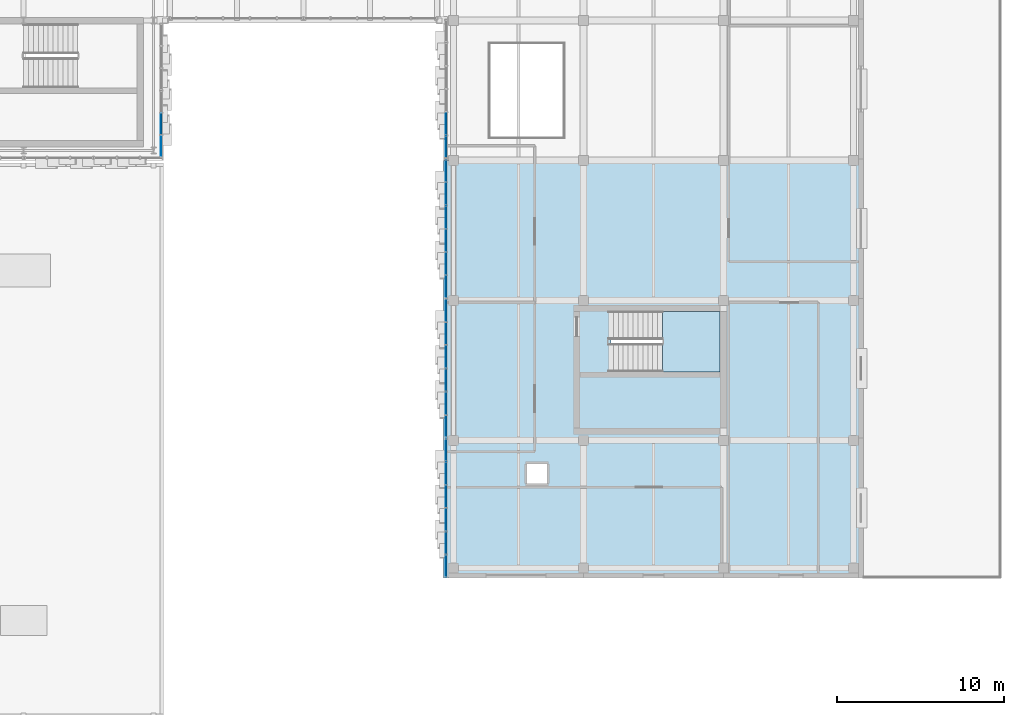
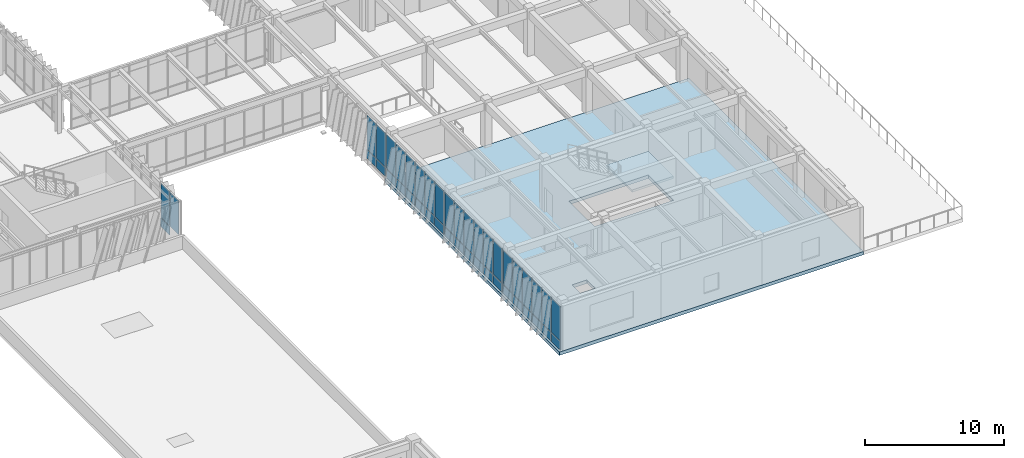
# One storey, part 86 of 127: 43 plates, 2 slabs, 6 elements without a shape of their own.
"""IFC4 building model written with IfcOpenShell, lengths in metres."""

from ifc_helpers import new_model, si_unit, direction, frame, origin, origin_2d, place, context, subcontext, project, spatial, polyline, rectangle, outline, extrude, material, layer, layer_set, type_object, element, aggregate, save


model = new_model("IFC4")

# Units and contexts
model_context = context("Model", 3, precision=1e-05, world=origin(), true_north=direction((0.0, 1.0)))
body_context = subcontext(model_context, "Body", "Model", "MODEL_VIEW")
ifc_project = project(units=[si_unit("LENGTHUNIT", "METRE"), si_unit("AREAUNIT", "SQUARE_METRE"), si_unit("VOLUMEUNIT", "CUBIC_METRE"), si_unit("PLANEANGLEUNIT", "RADIAN"), si_unit("MASSUNIT", "GRAM", prefix="KILO")], contexts=[model_context])

# Site, building, storey
site_placement = place(None, origin())
site = spatial("IfcSite", under=ifc_project, at=site_placement, CompositionType="ELEMENT")
building_placement = place(site_placement, origin())
building = spatial("IfcBuilding", under=site, at=building_placement, Name="Zayran Congress Hotel", CompositionType="ELEMENT")
storey_placement = place(building_placement, frame((0.0, 0.0, 10.800048828125)))
storey = spatial("IfcBuildingStorey", under=building, at=storey_placement, Name="L02", CompositionType="ELEMENT", Elevation=10.800048828125)

# Slab
ifc_material_1 = material(Name="Concrete C32/40", Category="concrete")
ifc_layer_1 = layer(ifc_material_1, 0.300048828125)
ifc_layer_set_1 = layer_set([ifc_layer_1], Name="Concrete C32/40")
slab_type_1 = type_object("IfcSlabType", Name="SL-FL-300", PredefinedType="FLOOR", material=ifc_layer_set_1)
slab_1_placement = place(storey_placement, frame((0.0, 0.0, -0.300048828125)))
element("IfcSlab", 1, at=slab_1_placement, inside=storey, type_object=slab_type_1, Name="SLB-V4-L02-021", PredefinedType="FLOOR", context=body_context, shape_type="SweptSolid", body=[
    extrude(outline(polyline([(109.199951171875, 42.550048828125), (134.39990234375, 42.550048828125), (134.39990234375, 67.60009765625), (109.199951171875, 67.60009765625), (109.199951171875, 42.550048828125)]), holes=[polyline([(119.239990234375, 54.909912109375), (125.800048828125, 54.909912109375), (125.800048828125, 58.550048828125), (119.239990234375, 58.550048828125), (119.239990234375, 54.909912109375)]), polyline([(114.199951171875, 48.199951171875), (115.419921875, 48.199951171875), (115.419921875, 49.3798828125), (114.199951171875, 49.3798828125), (114.199951171875, 48.199951171875)])]), origin(), (0.0, 0.0, 1.0), 0.300048828125),
])

# Curtain wall, plates
ifc_material_2 = material(Name="Anodised aluminium and low-E insulated glass", Category="aluminium")
ifc_layer_2 = layer(ifc_material_2, 0.179931640625)
ifc_layer_set_2 = layer_set([ifc_layer_2], Name="Anodised aluminium and low-E insulated glass")
curtain_wall_type_1 = type_object("IfcCurtainWallType", Name="CW-V1E-L02-CW-41-8040-3920", PredefinedType="USERDEFINED", material=ifc_layer_set_2)
curtain_wall_1_placement = place(storey_placement, origin())
curtain_wall_1 = element("IfcCurtainWall", 2, at=curtain_wall_1_placement, inside=storey, type_object=curtain_wall_type_1, Name="CW-V1E-L02-0", ObjectType="CURTAIN WALL", PredefinedType="USERDEFINED")
ifc_material_3 = material(Name="Insulated warm bronze aluminium spandrel panel", Category="aluminium")
ifc_layer_3 = layer(ifc_material_3, 0.06005859375)
ifc_layer_set_3 = layer_set([ifc_layer_3], Name="Insulated warm bronze aluminium spandrel panel")
plate_type_1 = type_object("IfcPlateType", Name="CWP-SP-1220-750", PredefinedType="CURTAIN_PANEL", material=ifc_layer_set_3)
plate_1_placement = place(storey_placement, frame((92.25, 69.7900390625, 0.06005859375), z_axis=(0.0, 0.0, 1.0), x_axis=(0.0, 1.0, 0.0)))
plate_1 = element("IfcPlate", 3, at=plate_1_placement, type_object=plate_type_1, Name="CW-41 Spandrel Panel 2", PredefinedType="CURTAIN_PANEL", context=body_context, shape_type="SweptSolid", body=[
    extrude(rectangle(XDim=1.260009765625, YDim=0.06005859375, at=origin_2d()), origin(), (0.0, 0.0, 1.0), 0.75),
])
ifc_layer_4 = layer(ifc_material_2, 0.028076171875)
ifc_layer_set_4 = layer_set([ifc_layer_4], Name="Anodised aluminium and low-E insulated glass")
plate_type_2 = type_object("IfcPlateType", Name="CWP-GL-1220-2990", PredefinedType="CURTAIN_PANEL", material=ifc_layer_set_4)
plate_2_placement = place(storey_placement, frame((92.25, 68.469970703125, 0.8701171875), z_axis=(0.0, 0.0, 1.0), x_axis=(0.0, 1.0, 0.0)))
plate_2 = element("IfcPlate", 4, at=plate_2_placement, type_object=plate_type_2, Name="CW-41 Glazed Panel 1", PredefinedType="CURTAIN_PANEL", context=body_context, shape_type="SweptSolid", body=[
    extrude(rectangle(XDim=1.219970703125, YDim=0.028076171875, at=origin_2d()), origin(), (0.0, 0.0, 1.0), 2.989990234375),
])
plate_3_placement = place(storey_placement, frame((92.25, 69.7900390625, 0.8701171875), z_axis=(0.0, 0.0, 1.0), x_axis=(0.0, 1.0, 0.0)))
plate_3 = element("IfcPlate", 5, at=plate_3_placement, type_object=plate_type_2, Name="CW-41 Glazed Panel 2", PredefinedType="CURTAIN_PANEL", context=body_context, shape_type="SweptSolid", body=[
    extrude(rectangle(XDim=1.260009765625, YDim=0.028076171875, at=origin_2d()), origin(), (0.0, 0.0, 1.0), 2.989990234375),
])
aggregate(curtain_wall_1, [plate_2, plate_1, plate_3])

ifc_layer_5 = layer(ifc_material_2, 0.179931640625)
ifc_layer_set_5 = layer_set([ifc_layer_5], Name="Anodised aluminium and low-E insulated glass")
curtain_wall_type_2 = type_object("IfcCurtainWallType", Name="CW-V4W-L02-CW-51-8376-3920", PredefinedType="USERDEFINED", material=ifc_layer_set_5)
curtain_wall_2_placement = place(storey_placement, origin())
curtain_wall_2 = element("IfcCurtainWall", 6, at=curtain_wall_2_placement, inside=storey, type_object=curtain_wall_type_2, Name="CW-V4W-L02-0", ObjectType="CURTAIN WALL", PredefinedType="USERDEFINED")
ifc_layer_6 = layer(ifc_material_3, 0.06005859375)
ifc_layer_set_6 = layer_set([ifc_layer_6], Name="Insulated warm bronze aluminium spandrel panel")
plate_type_3 = type_object("IfcPlateType", Name="CWP-SP-1276-750", PredefinedType="CURTAIN_PANEL", material=ifc_layer_set_6)
plate_4_placement = place(storey_placement, frame((109.35009765625, 50.2080078125, 0.06005859375), z_axis=(0.0, 0.0, 1.0), x_axis=(0.0, 1.0, 0.0)))
plate_4 = element("IfcPlate", 7, at=plate_4_placement, type_object=plate_type_3, Name="CW-51 Spandrel Panel 1", PredefinedType="CURTAIN_PANEL", context=body_context, shape_type="SweptSolid", body=[
    extrude(rectangle(XDim=1.27587890625, YDim=0.06005859375, at=origin_2d()), origin(), (0.0, 0.0, 1.0), 0.75),
])
plate_5_placement = place(storey_placement, frame((109.35009765625, 48.83203125, 0.06005859375), z_axis=(0.0, 0.0, 1.0), x_axis=(0.0, 1.0, 0.0)))
plate_5 = element("IfcPlate", 8, at=plate_5_placement, type_object=plate_type_3, Name="CW-51 Spandrel Panel 2", PredefinedType="CURTAIN_PANEL", context=body_context, shape_type="SweptSolid", body=[
    extrude(rectangle(XDim=1.31591796875, YDim=0.06005859375, at=origin_2d()), origin(), (0.0, 0.0, 1.0), 0.75),
])
plate_6_placement = place(storey_placement, frame((109.35009765625, 47.43603515625, 0.06005859375), z_axis=(0.0, 0.0, 1.0), x_axis=(0.0, 1.0, 0.0)))
plate_6 = element("IfcPlate", 9, at=plate_6_placement, type_object=plate_type_3, Name="CW-51 Spandrel Panel 3", PredefinedType="CURTAIN_PANEL", context=body_context, shape_type="SweptSolid", body=[
    extrude(rectangle(XDim=1.31591796875, YDim=0.06005859375, at=origin_2d()), origin(), (0.0, 0.0, 1.0), 0.75),
])
plate_7_placement = place(storey_placement, frame((109.35009765625, 46.0400390625, 0.06005859375), z_axis=(0.0, 0.0, 1.0), x_axis=(0.0, 1.0, 0.0)))
plate_7 = element("IfcPlate", 10, at=plate_7_placement, type_object=plate_type_3, Name="CW-51 Spandrel Panel 4", PredefinedType="CURTAIN_PANEL", context=body_context, shape_type="SweptSolid", body=[
    extrude(rectangle(XDim=1.31591796875, YDim=0.06005859375, at=origin_2d()), origin(), (0.0, 0.0, 1.0), 0.75),
])
plate_8_placement = place(storey_placement, frame((109.35009765625, 44.64404296875, 0.06005859375), z_axis=(0.0, 0.0, 1.0), x_axis=(0.0, 1.0, 0.0)))
plate_8 = element("IfcPlate", 11, at=plate_8_placement, type_object=plate_type_3, Name="CW-51 Spandrel Panel 5", PredefinedType="CURTAIN_PANEL", context=body_context, shape_type="SweptSolid", body=[
    extrude(rectangle(XDim=1.31591796875, YDim=0.06005859375, at=origin_2d()), origin(), (0.0, 0.0, 1.0), 0.75),
])
plate_9_placement = place(storey_placement, frame((109.35009765625, 43.26806640625, 0.06005859375), z_axis=(0.0, 0.0, 1.0), x_axis=(0.0, 1.0, 0.0)))
plate_9 = element("IfcPlate", 12, at=plate_9_placement, type_object=plate_type_3, Name="CW-51 Spandrel Panel 6", PredefinedType="CURTAIN_PANEL", context=body_context, shape_type="SweptSolid", body=[
    extrude(rectangle(XDim=1.27587890625, YDim=0.06005859375, at=origin_2d()), origin(), (0.0, 0.0, 1.0), 0.75),
])

ifc_layer_7 = layer(ifc_material_2, 0.179931640625)
ifc_layer_set_7 = layer_set([ifc_layer_7], Name="Anodised aluminium and low-E insulated glass")
curtain_wall_type_3 = type_object("IfcCurtainWallType", Name="CW-V4W-L02-CW-52-8371-3920", PredefinedType="USERDEFINED", material=ifc_layer_set_7)
curtain_wall_3_placement = place(storey_placement, origin())
curtain_wall_3 = element("IfcCurtainWall", 13, at=curtain_wall_3_placement, inside=storey, type_object=curtain_wall_type_3, Name="CW-V4W-L02-1", ObjectType="CURTAIN WALL", PredefinedType="USERDEFINED")
ifc_layer_8 = layer(ifc_material_3, 0.06005859375)
ifc_layer_set_8 = layer_set([ifc_layer_8], Name="Insulated warm bronze aluminium spandrel panel")
plate_type_4 = type_object("IfcPlateType", Name="CWP-SP-1275-750", PredefinedType="CURTAIN_PANEL", material=ifc_layer_set_8)
plate_10_placement = place(storey_placement, frame((109.35009765625, 58.58935546875, 0.06005859375), z_axis=(0.0, 0.0, 1.0), x_axis=(0.0, 1.0, 0.0)))
plate_10 = element("IfcPlate", 14, at=plate_10_placement, type_object=plate_type_4, Name="CW-52 Spandrel Panel 1", PredefinedType="CURTAIN_PANEL", context=body_context, shape_type="SweptSolid", body=[
    extrude(rectangle(XDim=1.275146484375, YDim=0.06005859375, at=origin_2d()), origin(), (0.0, 0.0, 1.0), 0.75),
])
plate_11_placement = place(storey_placement, frame((109.35009765625, 57.214111328125, 0.06005859375), z_axis=(0.0, 0.0, 1.0), x_axis=(0.0, 1.0, 0.0)))
plate_11 = element("IfcPlate", 15, at=plate_11_placement, type_object=plate_type_4, Name="CW-52 Spandrel Panel 2", PredefinedType="CURTAIN_PANEL", context=body_context, shape_type="SweptSolid", body=[
    extrude(rectangle(XDim=1.315185546875, YDim=0.06005859375, at=origin_2d()), origin(), (0.0, 0.0, 1.0), 0.75),
])
plate_12_placement = place(storey_placement, frame((109.35009765625, 55.819091796875, 0.06005859375), z_axis=(0.0, 0.0, 1.0), x_axis=(0.0, 1.0, 0.0)))
plate_12 = element("IfcPlate", 16, at=plate_12_placement, type_object=plate_type_4, Name="CW-52 Spandrel Panel 3", PredefinedType="CURTAIN_PANEL", context=body_context, shape_type="SweptSolid", body=[
    extrude(rectangle(XDim=1.315185546875, YDim=0.06005859375, at=origin_2d()), origin(), (0.0, 0.0, 1.0), 0.75),
])
plate_13_placement = place(storey_placement, frame((109.35009765625, 54.423828125, 0.06005859375), z_axis=(0.0, 0.0, 1.0), x_axis=(0.0, 1.0, 0.0)))
plate_13 = element("IfcPlate", 17, at=plate_13_placement, type_object=plate_type_4, Name="CW-52 Spandrel Panel 4", PredefinedType="CURTAIN_PANEL", context=body_context, shape_type="SweptSolid", body=[
    extrude(rectangle(XDim=1.315185546875, YDim=0.06005859375, at=origin_2d()), origin(), (0.0, 0.0, 1.0), 0.75),
])
plate_14_placement = place(storey_placement, frame((109.35009765625, 53.02880859375, 0.06005859375), z_axis=(0.0, 0.0, 1.0), x_axis=(0.0, 1.0, 0.0)))
plate_14 = element("IfcPlate", 18, at=plate_14_placement, type_object=plate_type_4, Name="CW-52 Spandrel Panel 5", PredefinedType="CURTAIN_PANEL", context=body_context, shape_type="SweptSolid", body=[
    extrude(rectangle(XDim=1.315185546875, YDim=0.06005859375, at=origin_2d()), origin(), (0.0, 0.0, 1.0), 0.75),
])
plate_15_placement = place(storey_placement, frame((109.35009765625, 51.653564453125, 0.06005859375), z_axis=(0.0, 0.0, 1.0), x_axis=(0.0, 1.0, 0.0)))
plate_15 = element("IfcPlate", 19, at=plate_15_placement, type_object=plate_type_4, Name="CW-52 Spandrel Panel 6", PredefinedType="CURTAIN_PANEL", context=body_context, shape_type="SweptSolid", body=[
    extrude(rectangle(XDim=1.275146484375, YDim=0.06005859375, at=origin_2d()), origin(), (0.0, 0.0, 1.0), 0.75),
])

ifc_layer_9 = layer(ifc_material_2, 0.179931640625)
ifc_layer_set_9 = layer_set([ifc_layer_9], Name="Anodised aluminium and low-E insulated glass")
curtain_wall_type_4 = type_object("IfcCurtainWallType", Name="CW-V4W-L02-CW-53-8372-3920", PredefinedType="USERDEFINED", material=ifc_layer_set_9)
curtain_wall_4_placement = place(storey_placement, origin())
curtain_wall_4 = element("IfcCurtainWall", 20, at=curtain_wall_4_placement, inside=storey, type_object=curtain_wall_type_4, Name="CW-V4W-L02-2", ObjectType="CURTAIN WALL", PredefinedType="USERDEFINED")
plate_16_placement = place(storey_placement, frame((109.35009765625, 66.97119140625, 0.06005859375), z_axis=(0.0, 0.0, 1.0), x_axis=(0.0, 1.0, 0.0)))
plate_16 = element("IfcPlate", 21, at=plate_16_placement, type_object=plate_type_4, Name="CW-53 Spandrel Panel 1", PredefinedType="CURTAIN_PANEL", context=body_context, shape_type="SweptSolid", body=[
    extrude(rectangle(XDim=1.275390625, YDim=0.06005859375, at=origin_2d()), origin(), (0.0, 0.0, 1.0), 0.75),
])
plate_17_placement = place(storey_placement, frame((109.35009765625, 65.595947265625, 0.06005859375), z_axis=(0.0, 0.0, 1.0), x_axis=(0.0, 1.0, 0.0)))
plate_17 = element("IfcPlate", 22, at=plate_17_placement, type_object=plate_type_4, Name="CW-53 Spandrel Panel 2", PredefinedType="CURTAIN_PANEL", context=body_context, shape_type="SweptSolid", body=[
    extrude(rectangle(XDim=1.315185546875, YDim=0.06005859375, at=origin_2d()), origin(), (0.0, 0.0, 1.0), 0.75),
])
plate_18_placement = place(storey_placement, frame((109.35009765625, 64.20068359375, 0.06005859375), z_axis=(0.0, 0.0, 1.0), x_axis=(0.0, 1.0, 0.0)))
plate_18 = element("IfcPlate", 23, at=plate_18_placement, type_object=plate_type_4, Name="CW-53 Spandrel Panel 3", PredefinedType="CURTAIN_PANEL", context=body_context, shape_type="SweptSolid", body=[
    extrude(rectangle(XDim=1.315185546875, YDim=0.06005859375, at=origin_2d()), origin(), (0.0, 0.0, 1.0), 0.75),
])
plate_19_placement = place(storey_placement, frame((109.35009765625, 62.805419921875, 0.06005859375), z_axis=(0.0, 0.0, 1.0), x_axis=(0.0, 1.0, 0.0)))
plate_19 = element("IfcPlate", 24, at=plate_19_placement, type_object=plate_type_4, Name="CW-53 Spandrel Panel 4", PredefinedType="CURTAIN_PANEL", context=body_context, shape_type="SweptSolid", body=[
    extrude(rectangle(XDim=1.315185546875, YDim=0.06005859375, at=origin_2d()), origin(), (0.0, 0.0, 1.0), 0.75),
])
plate_20_placement = place(storey_placement, frame((109.35009765625, 61.409912109375, 0.06005859375), z_axis=(0.0, 0.0, 1.0), x_axis=(0.0, 1.0, 0.0)))
plate_20 = element("IfcPlate", 25, at=plate_20_placement, type_object=plate_type_4, Name="CW-53 Spandrel Panel 5", PredefinedType="CURTAIN_PANEL", context=body_context, shape_type="SweptSolid", body=[
    extrude(rectangle(XDim=1.315185546875, YDim=0.06005859375, at=origin_2d()), origin(), (0.0, 0.0, 1.0), 0.75),
])
plate_21_placement = place(storey_placement, frame((109.35009765625, 60.03466796875, 0.06005859375), z_axis=(0.0, 0.0, 1.0), x_axis=(0.0, 1.0, 0.0)))
plate_21 = element("IfcPlate", 26, at=plate_21_placement, type_object=plate_type_4, Name="CW-53 Spandrel Panel 6", PredefinedType="CURTAIN_PANEL", context=body_context, shape_type="SweptSolid", body=[
    extrude(rectangle(XDim=1.275390625, YDim=0.06005859375, at=origin_2d()), origin(), (0.0, 0.0, 1.0), 0.75),
])

ifc_layer_10 = layer(ifc_material_2, 0.179931640625)
ifc_layer_set_10 = layer_set([ifc_layer_10], Name="Anodised aluminium and low-E insulated glass")
curtain_wall_type_5 = type_object("IfcCurtainWallType", Name="CW-V4W-L02-CW-51-8371-3920", PredefinedType="USERDEFINED", material=ifc_layer_set_10)
curtain_wall_5_placement = place(storey_placement, origin())
curtain_wall_5 = element("IfcCurtainWall", 27, at=curtain_wall_5_placement, inside=storey, type_object=curtain_wall_type_5, Name="CW-V4W-L02-3", ObjectType="CURTAIN WALL", PredefinedType="USERDEFINED")
plate_22_placement = place(storey_placement, frame((109.35009765625, 69.791748046875, 0.06005859375), z_axis=(0.0, 0.0, 1.0), x_axis=(0.0, 1.0, 0.0)))
plate_22 = element("IfcPlate", 28, at=plate_22_placement, type_object=plate_type_4, Name="CW-51 Spandrel Panel 5", PredefinedType="CURTAIN_PANEL", context=body_context, shape_type="SweptSolid", body=[
    extrude(rectangle(XDim=1.315185546875, YDim=0.06005859375, at=origin_2d()), origin(), (0.0, 0.0, 1.0), 0.75),
])
plate_23_placement = place(storey_placement, frame((109.35009765625, 68.41650390625, 0.06005859375), z_axis=(0.0, 0.0, 1.0), x_axis=(0.0, 1.0, 0.0)))
plate_23 = element("IfcPlate", 29, at=plate_23_placement, type_object=plate_type_4, Name="CW-51 Spandrel Panel 6", PredefinedType="CURTAIN_PANEL", context=body_context, shape_type="SweptSolid", body=[
    extrude(rectangle(XDim=1.275146484375, YDim=0.06005859375, at=origin_2d()), origin(), (0.0, 0.0, 1.0), 0.75),
])

# Plate
ifc_layer_11 = layer(ifc_material_2, 0.028076171875)
ifc_layer_set_11 = layer_set([ifc_layer_11], Name="Anodised aluminium and low-E insulated glass")
plate_type_5 = type_object("IfcPlateType", Name="CWP-GL-1276-2990", PredefinedType="CURTAIN_PANEL", material=ifc_layer_set_11)
plate_24_placement = place(storey_placement, frame((109.35009765625, 50.2080078125, 0.8701171875), z_axis=(0.0, 0.0, 1.0), x_axis=(0.0, 1.0, 0.0)))
plate_24 = element("IfcPlate", 30, at=plate_24_placement, type_object=plate_type_5, Name="CW-51 Glazed Panel 1", PredefinedType="CURTAIN_PANEL", context=body_context, shape_type="SweptSolid", body=[
    extrude(rectangle(XDim=1.27587890625, YDim=0.028076171875, at=origin_2d()), origin(), (0.0, 0.0, 1.0), 2.989990234375),
])

plate_25_placement = place(storey_placement, frame((109.35009765625, 48.83203125, 0.8701171875), z_axis=(0.0, 0.0, 1.0), x_axis=(0.0, 1.0, 0.0)))
plate_25 = element("IfcPlate", 31, at=plate_25_placement, type_object=plate_type_5, Name="CW-51 Glazed Panel 2", PredefinedType="CURTAIN_PANEL", context=body_context, shape_type="SweptSolid", body=[
    extrude(rectangle(XDim=1.31591796875, YDim=0.028076171875, at=origin_2d()), origin(), (0.0, 0.0, 1.0), 2.989990234375),
])

plate_26_placement = place(storey_placement, frame((109.35009765625, 47.43603515625, 0.8701171875), z_axis=(0.0, 0.0, 1.0), x_axis=(0.0, 1.0, 0.0)))
plate_26 = element("IfcPlate", 32, at=plate_26_placement, type_object=plate_type_5, Name="CW-51 Glazed Panel 3", PredefinedType="CURTAIN_PANEL", context=body_context, shape_type="SweptSolid", body=[
    extrude(rectangle(XDim=1.31591796875, YDim=0.028076171875, at=origin_2d()), origin(), (0.0, 0.0, 1.0), 2.989990234375),
])

plate_27_placement = place(storey_placement, frame((109.35009765625, 46.0400390625, 0.8701171875), z_axis=(0.0, 0.0, 1.0), x_axis=(0.0, 1.0, 0.0)))
plate_27 = element("IfcPlate", 33, at=plate_27_placement, type_object=plate_type_5, Name="CW-51 Glazed Panel 4", PredefinedType="CURTAIN_PANEL", context=body_context, shape_type="SweptSolid", body=[
    extrude(rectangle(XDim=1.31591796875, YDim=0.028076171875, at=origin_2d()), origin(), (0.0, 0.0, 1.0), 2.989990234375),
])

plate_28_placement = place(storey_placement, frame((109.35009765625, 44.64404296875, 0.8701171875), z_axis=(0.0, 0.0, 1.0), x_axis=(0.0, 1.0, 0.0)))
plate_28 = element("IfcPlate", 34, at=plate_28_placement, type_object=plate_type_5, Name="CW-51 Glazed Panel 5", PredefinedType="CURTAIN_PANEL", context=body_context, shape_type="SweptSolid", body=[
    extrude(rectangle(XDim=1.31591796875, YDim=0.028076171875, at=origin_2d()), origin(), (0.0, 0.0, 1.0), 2.989990234375),
])

plate_29_placement = place(storey_placement, frame((109.35009765625, 43.26806640625, 0.8701171875), z_axis=(0.0, 0.0, 1.0), x_axis=(0.0, 1.0, 0.0)))
plate_29 = element("IfcPlate", 35, at=plate_29_placement, type_object=plate_type_5, Name="CW-51 Glazed Panel 6", PredefinedType="CURTAIN_PANEL", context=body_context, shape_type="SweptSolid", body=[
    extrude(rectangle(XDim=1.27587890625, YDim=0.028076171875, at=origin_2d()), origin(), (0.0, 0.0, 1.0), 2.989990234375),
])

aggregate(curtain_wall_2, [plate_4, plate_24, plate_5, plate_25, plate_6, plate_26, plate_7, plate_27, plate_8, plate_28, plate_9, plate_29])

ifc_layer_12 = layer(ifc_material_2, 0.028076171875)
ifc_layer_set_12 = layer_set([ifc_layer_12], Name="Anodised aluminium and low-E insulated glass")
plate_type_6 = type_object("IfcPlateType", Name="CWP-GL-1275-2990", PredefinedType="CURTAIN_PANEL", material=ifc_layer_set_12)
plate_30_placement = place(storey_placement, frame((109.35009765625, 58.58935546875, 0.8701171875), z_axis=(0.0, 0.0, 1.0), x_axis=(0.0, 1.0, 0.0)))
plate_30 = element("IfcPlate", 36, at=plate_30_placement, type_object=plate_type_6, Name="CW-52 Glazed Panel 1", PredefinedType="CURTAIN_PANEL", context=body_context, shape_type="SweptSolid", body=[
    extrude(rectangle(XDim=1.275146484375, YDim=0.028076171875, at=origin_2d()), origin(), (0.0, 0.0, 1.0), 2.989990234375),
])

plate_31_placement = place(storey_placement, frame((109.35009765625, 57.214111328125, 0.8701171875), z_axis=(0.0, 0.0, 1.0), x_axis=(0.0, 1.0, 0.0)))
plate_31 = element("IfcPlate", 37, at=plate_31_placement, type_object=plate_type_6, Name="CW-52 Glazed Panel 2", PredefinedType="CURTAIN_PANEL", context=body_context, shape_type="SweptSolid", body=[
    extrude(rectangle(XDim=1.315185546875, YDim=0.028076171875, at=origin_2d()), origin(), (0.0, 0.0, 1.0), 2.989990234375),
])

plate_32_placement = place(storey_placement, frame((109.35009765625, 55.819091796875, 0.8701171875), z_axis=(0.0, 0.0, 1.0), x_axis=(0.0, 1.0, 0.0)))
plate_32 = element("IfcPlate", 38, at=plate_32_placement, type_object=plate_type_6, Name="CW-52 Glazed Panel 3", PredefinedType="CURTAIN_PANEL", context=body_context, shape_type="SweptSolid", body=[
    extrude(rectangle(XDim=1.315185546875, YDim=0.028076171875, at=origin_2d()), origin(), (0.0, 0.0, 1.0), 2.989990234375),
])

plate_33_placement = place(storey_placement, frame((109.35009765625, 54.423828125, 0.8701171875), z_axis=(0.0, 0.0, 1.0), x_axis=(0.0, 1.0, 0.0)))
plate_33 = element("IfcPlate", 39, at=plate_33_placement, type_object=plate_type_6, Name="CW-52 Glazed Panel 4", PredefinedType="CURTAIN_PANEL", context=body_context, shape_type="SweptSolid", body=[
    extrude(rectangle(XDim=1.315185546875, YDim=0.028076171875, at=origin_2d()), origin(), (0.0, 0.0, 1.0), 2.989990234375),
])

plate_34_placement = place(storey_placement, frame((109.35009765625, 53.02880859375, 0.8701171875), z_axis=(0.0, 0.0, 1.0), x_axis=(0.0, 1.0, 0.0)))
plate_34 = element("IfcPlate", 40, at=plate_34_placement, type_object=plate_type_6, Name="CW-52 Glazed Panel 5", PredefinedType="CURTAIN_PANEL", context=body_context, shape_type="SweptSolid", body=[
    extrude(rectangle(XDim=1.315185546875, YDim=0.028076171875, at=origin_2d()), origin(), (0.0, 0.0, 1.0), 2.989990234375),
])

plate_35_placement = place(storey_placement, frame((109.35009765625, 51.653564453125, 0.8701171875), z_axis=(0.0, 0.0, 1.0), x_axis=(0.0, 1.0, 0.0)))
plate_35 = element("IfcPlate", 41, at=plate_35_placement, type_object=plate_type_6, Name="CW-52 Glazed Panel 6", PredefinedType="CURTAIN_PANEL", context=body_context, shape_type="SweptSolid", body=[
    extrude(rectangle(XDim=1.275146484375, YDim=0.028076171875, at=origin_2d()), origin(), (0.0, 0.0, 1.0), 2.989990234375),
])

aggregate(curtain_wall_3, [plate_10, plate_30, plate_11, plate_31, plate_12, plate_32, plate_13, plate_33, plate_14, plate_34, plate_15, plate_35])

plate_36_placement = place(storey_placement, frame((109.35009765625, 66.97119140625, 0.8701171875), z_axis=(0.0, 0.0, 1.0), x_axis=(0.0, 1.0, 0.0)))
plate_36 = element("IfcPlate", 42, at=plate_36_placement, type_object=plate_type_6, Name="CW-53 Glazed Panel 1", PredefinedType="CURTAIN_PANEL", context=body_context, shape_type="SweptSolid", body=[
    extrude(rectangle(XDim=1.275390625, YDim=0.028076171875, at=origin_2d()), origin(), (0.0, 0.0, 1.0), 2.989990234375),
])

plate_37_placement = place(storey_placement, frame((109.35009765625, 65.595947265625, 0.8701171875), z_axis=(0.0, 0.0, 1.0), x_axis=(0.0, 1.0, 0.0)))
plate_37 = element("IfcPlate", 43, at=plate_37_placement, type_object=plate_type_6, Name="CW-53 Glazed Panel 2", PredefinedType="CURTAIN_PANEL", context=body_context, shape_type="SweptSolid", body=[
    extrude(rectangle(XDim=1.315185546875, YDim=0.028076171875, at=origin_2d()), origin(), (0.0, 0.0, 1.0), 2.989990234375),
])

plate_38_placement = place(storey_placement, frame((109.35009765625, 64.20068359375, 0.8701171875), z_axis=(0.0, 0.0, 1.0), x_axis=(0.0, 1.0, 0.0)))
plate_38 = element("IfcPlate", 44, at=plate_38_placement, type_object=plate_type_6, Name="CW-53 Glazed Panel 3", PredefinedType="CURTAIN_PANEL", context=body_context, shape_type="SweptSolid", body=[
    extrude(rectangle(XDim=1.315185546875, YDim=0.028076171875, at=origin_2d()), origin(), (0.0, 0.0, 1.0), 2.989990234375),
])

plate_39_placement = place(storey_placement, frame((109.35009765625, 62.805419921875, 0.8701171875), z_axis=(0.0, 0.0, 1.0), x_axis=(0.0, 1.0, 0.0)))
plate_39 = element("IfcPlate", 45, at=plate_39_placement, type_object=plate_type_6, Name="CW-53 Glazed Panel 4", PredefinedType="CURTAIN_PANEL", context=body_context, shape_type="SweptSolid", body=[
    extrude(rectangle(XDim=1.315185546875, YDim=0.028076171875, at=origin_2d()), origin(), (0.0, 0.0, 1.0), 2.989990234375),
])

plate_40_placement = place(storey_placement, frame((109.35009765625, 61.409912109375, 0.8701171875), z_axis=(0.0, 0.0, 1.0), x_axis=(0.0, 1.0, 0.0)))
plate_40 = element("IfcPlate", 46, at=plate_40_placement, type_object=plate_type_6, Name="CW-53 Glazed Panel 5", PredefinedType="CURTAIN_PANEL", context=body_context, shape_type="SweptSolid", body=[
    extrude(rectangle(XDim=1.315185546875, YDim=0.028076171875, at=origin_2d()), origin(), (0.0, 0.0, 1.0), 2.989990234375),
])

plate_41_placement = place(storey_placement, frame((109.35009765625, 60.03466796875, 0.8701171875), z_axis=(0.0, 0.0, 1.0), x_axis=(0.0, 1.0, 0.0)))
plate_41 = element("IfcPlate", 47, at=plate_41_placement, type_object=plate_type_6, Name="CW-53 Glazed Panel 6", PredefinedType="CURTAIN_PANEL", context=body_context, shape_type="SweptSolid", body=[
    extrude(rectangle(XDim=1.275390625, YDim=0.028076171875, at=origin_2d()), origin(), (0.0, 0.0, 1.0), 2.989990234375),
])

aggregate(curtain_wall_4, [plate_16, plate_36, plate_17, plate_37, plate_18, plate_38, plate_19, plate_39, plate_20, plate_40, plate_21, plate_41])

plate_42_placement = place(storey_placement, frame((109.35009765625, 69.791748046875, 0.8701171875), z_axis=(0.0, 0.0, 1.0), x_axis=(0.0, 1.0, 0.0)))
plate_42 = element("IfcPlate", 48, at=plate_42_placement, type_object=plate_type_6, Name="CW-51 Glazed Panel 5", PredefinedType="CURTAIN_PANEL", context=body_context, shape_type="SweptSolid", body=[
    extrude(rectangle(XDim=1.315185546875, YDim=0.028076171875, at=origin_2d()), origin(), (0.0, 0.0, 1.0), 2.989990234375),
])

plate_43_placement = place(storey_placement, frame((109.35009765625, 68.41650390625, 0.8701171875), z_axis=(0.0, 0.0, 1.0), x_axis=(0.0, 1.0, 0.0)))
plate_43 = element("IfcPlate", 49, at=plate_43_placement, type_object=plate_type_6, Name="CW-51 Glazed Panel 6", PredefinedType="CURTAIN_PANEL", context=body_context, shape_type="SweptSolid", body=[
    extrude(rectangle(XDim=1.275146484375, YDim=0.028076171875, at=origin_2d()), origin(), (0.0, 0.0, 1.0), 2.989990234375),
])

aggregate(curtain_wall_5, [plate_22, plate_42, plate_23, plate_43])

# Stair, slab
stair_type = type_object("IfcStairType", Name="TP-STR-1700-42", PredefinedType="USERDEFINED", material=ifc_material_1)
stair_placement = place(storey_placement, origin())
stair = element("IfcStair", 50, at=stair_placement, inside=storey, type_object=stair_type, Name="L02 ST-08", ObjectType="TWO_RETURN_STAIR", PredefinedType="USERDEFINED")
ifc_layer_13 = layer(ifc_material_1, 0.199951171875)
ifc_layer_set_13 = layer_set([ifc_layer_13], Name="Concrete C32/40")
slab_type_2 = type_object("IfcSlabType", Name="TP-LND-1700", PredefinedType="LANDING", material=ifc_layer_set_13)
slab_2_placement = place(storey_placement, frame((0.0, 0.0, 1.89990234375)))
slab_2 = element("IfcSlab", 51, at=slab_2_placement, type_object=slab_type_2, Name="ST-08 landing 1", PredefinedType="LANDING", context=body_context, shape_type="SweptSolid", body=[
    extrude(outline(polyline([(122.344970703125, 54.909912109375), (125.800048828125, 54.909912109375), (125.800048828125, 58.550048828125), (122.344970703125, 58.550048828125), (122.344970703125, 54.909912109375)])), origin(), (0.0, 0.0, 1.0), 0.199951171875),
])
aggregate(stair, [slab_2])

save(model, "model.ifc")
